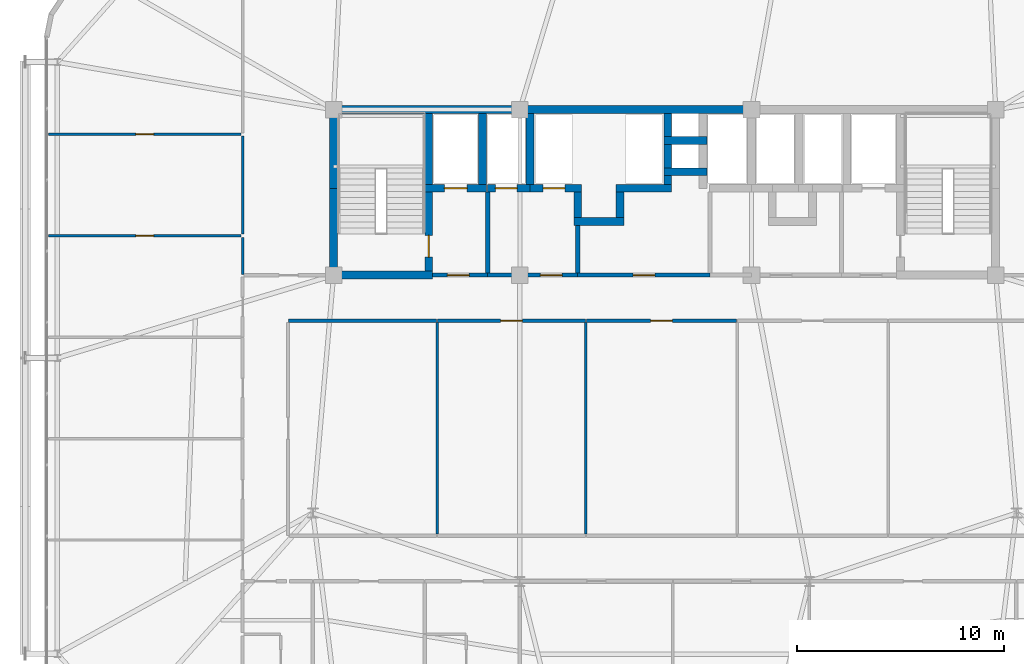
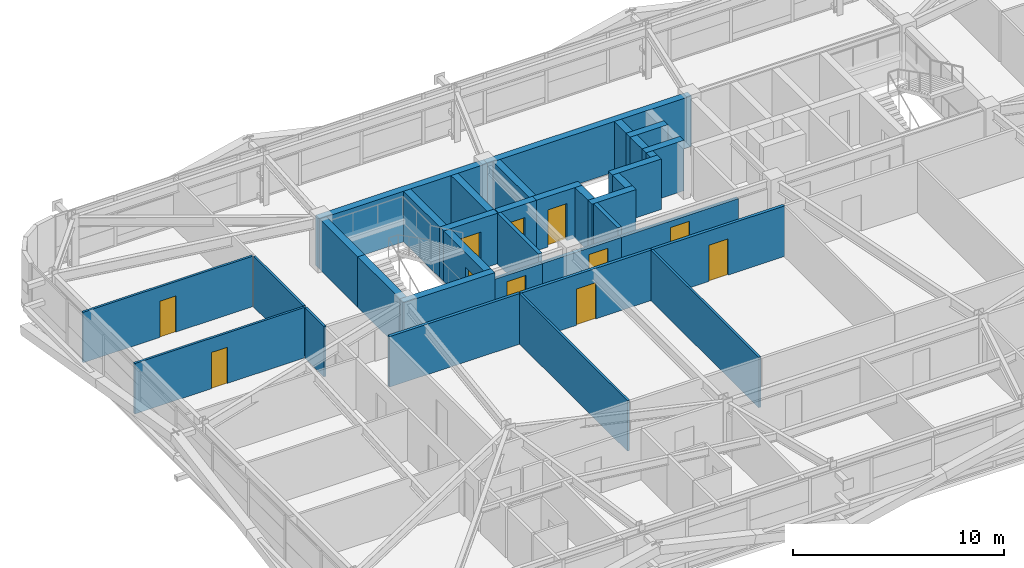
# One storey, part 53 of 58: 35 walls, 11 doors, 11 openings.
"""IFC4 building model written with IfcOpenShell, lengths in metres."""

from ifc_helpers import new_model, si_unit, direction, frame, frame_2d, origin, place, context, subcontext, project, spatial, rectangle, extrude, source, transform, mapped, material, layer, layer_set, type_object, element, fill, save


model = new_model("IFC4")

# Units and contexts
model_context = context("Model", 3, precision=1e-05, world=origin(), true_north=direction((0.0, 1.0)))
body_context = subcontext(model_context, "Body", "Model", "MODEL_VIEW")
ifc_project = project(units=[si_unit("LENGTHUNIT", "METRE"), si_unit("AREAUNIT", "SQUARE_METRE"), si_unit("VOLUMEUNIT", "CUBIC_METRE"), si_unit("PLANEANGLEUNIT", "RADIAN"), si_unit("MASSUNIT", "GRAM", prefix="KILO")], contexts=[model_context])

# Site, building, storey
site_placement = place(None, origin())
site = spatial("IfcSite", under=ifc_project, at=site_placement, CompositionType="ELEMENT")
building_placement = place(site_placement, origin())
building = spatial("IfcBuilding", under=site, at=building_placement, Name="Taldren Reach Tower", CompositionType="ELEMENT")
storey_placement = place(building_placement, frame((0.0, 0.0, 35.699951171875)))
storey = spatial("IfcBuildingStorey", under=building, at=storey_placement, Name="L10", CompositionType="ELEMENT", Elevation=35.699951171875)

# Walls
ifc_material_1 = material(Name="Concrete S80 (80 MPa)", Category="concrete")
ifc_layer_1 = layer(ifc_material_1, 0.3798828125)
ifc_layer_set_1 = layer_set([ifc_layer_1], Name="Concrete S80 (80 MPa)")
wall_type_1 = type_object("IfcWallType", Name="IW-CORE-380", PredefinedType="SHEAR", material=ifc_layer_set_1)
shared_shape_1 = source(origin(), body_context, "Body", "SweptSolid", [
    extrude(rectangle(XDim=9.18994140625, YDim=0.3798828125, at=frame_2d((4.594970703125, 0.0))), origin(), (0.0, 0.0, 1.0), 2.929931640625),
])
wall_1_placement = place(storey_placement, frame((18.81005859375, 32.0, 0.0), z_axis=(0.0, 0.0, 1.0), x_axis=(1.0, 0.0, 0.0)))
element("IfcWall", 1, at=wall_1_placement, inside=storey, type_object=wall_type_1, Name="Rear Core Shear Wall W-CORE-L10-NORTH1", PredefinedType="SHEAR", context=body_context, shape_type="MappedRepresentation", body=[
    mapped(shared_shape_1, transform((0.0, 0.0, 0.0), scale=1.0)),
])
shared_shape_2 = source(origin(), body_context, "Body", "SweptSolid", [
    extrude(rectangle(XDim=11.199951171875, YDim=0.3798828125, at=frame_2d((5.60009765625, 0.0))), origin(), (0.0, 0.0, 1.0), 2.929931640625),
])
wall_2_placement = place(storey_placement, frame((28.0, 32.0, 0.0), z_axis=(0.0, 0.0, 1.0), x_axis=(1.0, 0.0, 0.0)))
element("IfcWall", 2, at=wall_2_placement, inside=storey, type_object=wall_type_1, Name="Rear Core Shear Wall W-CORE-L10-NORTH2", PredefinedType="SHEAR", context=body_context, shape_type="MappedRepresentation", body=[
    mapped(shared_shape_2, transform((0.0, 0.0, 0.0), scale=1.0)),
])
shared_shape_3 = source(origin(), body_context, "Body", "SweptSolid", [
    extrude(rectangle(XDim=4.010009765625, YDim=0.3798828125, at=frame_2d((2.0048828125, 0.0))), origin(), (0.0, 0.0, 1.0), 2.929931640625),
])
wall_3_placement = place(storey_placement, frame((19.0, 24.18994140625, 0.0), z_axis=(0.0, 0.0, 1.0), x_axis=(0.0, 1.0, 0.0)))
element("IfcWall", 3, at=wall_3_placement, inside=storey, type_object=wall_type_1, Name="Rear Core Shear Wall W-CORE-L10-WEST1", PredefinedType="SHEAR", context=body_context, shape_type="MappedRepresentation", body=[
    mapped(shared_shape_3, transform((0.0, 0.0, 0.0), scale=1.0)),
])
shared_shape_4 = source(origin(), body_context, "Body", "SweptSolid", [
    extrude(rectangle(XDim=3.610107421875, YDim=0.3798828125, at=frame_2d((1.80517578125, 0.0))), origin(), (0.0, 0.0, 1.0), 2.929931640625),
])
wall_4_placement = place(storey_placement, frame((19.0, 28.199951171875, 0.0), z_axis=(0.0, 0.0, 1.0), x_axis=(0.0, 1.0, 0.0)))
element("IfcWall", 4, at=wall_4_placement, inside=storey, type_object=wall_type_1, Name="Rear Core Shear Wall W-CORE-L10-WEST2", PredefinedType="SHEAR", context=body_context, shape_type="MappedRepresentation", body=[
    mapped(shared_shape_4, transform((0.0, 0.0, 0.0), scale=1.0)),
])
shared_shape_5 = source(origin(), body_context, "Body", "SweptSolid", [
    extrude(rectangle(XDim=3.420166015625, YDim=0.3798828125, at=frame_2d((1.7099609375, 0.0))), origin(), (0.0, 0.0, 1.0), 2.929931640625),
])
for number, where, z_axis, x_axis, name in (
    (5, (23.60009765625, 28.389892578125, 0.0), (0.0, 0.0, 1.0), (0.0, 1.0, 0.0), "Rear Core Shear Wall W-INT-L10-001"),
    (6, (26.199951171875, 28.389892578125, 0.0), (0.0, 0.0, 1.0), (0.0, 1.0, 0.0), "Rear Core Shear Wall W-INT-L10-005"),
    (7, (28.5, 28.389892578125, 0.0), (0.0, 0.0, 1.0), (0.0, 1.0, 0.0), "Rear Core Shear Wall W-INT-L10-029"),
):
    element("IfcWall", number, at=place(storey_placement, frame(where, z_axis=z_axis, x_axis=x_axis)), inside=storey, type_object=wall_type_1, Name=name, PredefinedType="SHEAR", context=body_context, shape_type="MappedRepresentation", body=[
        mapped(shared_shape_5, transform((0.0, 0.0, 0.0), scale=1.0)),
    ])

# Wall, opening, door
shared_shape_6 = source(origin(), body_context, "Body", "SweptSolid", [
    extrude(rectangle(XDim=3.820068359375, YDim=0.3798828125, at=frame_2d((1.91015625, 0.0))), origin(), (0.0, 0.0, 1.0), 2.929931640625),
])
wall_5_placement = place(storey_placement, frame((23.60009765625, 24.18994140625, 0.0), z_axis=(0.0, 0.0, 1.0), x_axis=(0.0, 1.0, 0.0)))
wall_5 = element("IfcWall", 8, at=wall_5_placement, inside=storey, type_object=wall_type_1, Name="Rear Core Shear Wall W-INT-L10-002", PredefinedType="SHEAR", context=body_context, shape_type="MappedRepresentation", body=[
    mapped(shared_shape_6, transform((0.0, 0.0, 0.0), scale=1.0)),
])
shared_shape_7 = source(origin(), body_context, "Body", "SweptSolid", [
    extrude(rectangle(XDim=1.050048828125, YDim=2.10009765625, at=frame_2d((0.52490234375, 1.050048828125))), frame((0.0, 0.199951171875, 0.0), z_axis=(0.0, -1.0, 0.0), x_axis=(1.0, 0.0, 0.0)), (0.0, 0.0, 1.0), 0.39990234375),
])
opening_1_placement = place(wall_5_placement, frame((0.68505859375, 0.0, 0.0)))
opening_1 = element("IfcOpeningElement", 9, at=opening_1_placement, cuts=wall_5, Name="Opening DF-105", PredefinedType="OPENING", context=body_context, shape_type="MappedRepresentation", body=[
    mapped(shared_shape_7, transform((0.0, 0.0, 0.0), scale=1.0)),
])
ifc_material_2 = material(Name="Fire-Rated Care and Stair Exit Door")
door_type_1 = type_object("IfcDoorType", Name="ID-FIRE-105", OperationType="NOTDEFINED", PredefinedType="DOOR", material=ifc_material_2)
shared_shape_8 = source(origin(), body_context, "Body", "SweptSolid", [
    extrude(rectangle(XDim=1.050048828125, YDim=2.10009765625, at=frame_2d((0.52490234375, 1.050048828125))), frame((0.0, 0.02490234375, 0.0), z_axis=(0.0, -1.0, 0.0), x_axis=(1.0, 0.0, 0.0)), (0.0, 0.0, 1.0), 0.050048828125),
])
door_1_placement = place(opening_1_placement, origin())
door_1 = element("IfcDoor", 10, at=door_1_placement, inside=storey, type_object=door_type_1, Name="Fire Exit Stair Door DR-L10-001", OperationType="SINGLE_SWING_LEFT", OverallHeight=2.10009765625, OverallWidth=1.050048828125, PredefinedType="DOOR", context=body_context, shape_type="MappedRepresentation", body=[
    mapped(shared_shape_8, transform((0.0, 0.0, 0.0), scale=1.0)),
])
fill(opening_1, door_1)

# Wall
shared_shape_9 = source(origin(), body_context, "Body", "SweptSolid", [
    extrude(rectangle(XDim=4.97998046875, YDim=0.3798828125, at=frame_2d((2.489990234375, 0.0))), origin(), (0.0, 0.0, 1.0), 2.929931640625),
])
wall_6_placement = place(storey_placement, frame((18.81005859375, 24.0, 0.0), z_axis=(0.0, 0.0, 1.0), x_axis=(1.0, 0.0, 0.0)))
element("IfcWall", 11, at=wall_6_placement, inside=storey, type_object=wall_type_1, Name="Rear Core Shear Wall W-INT-L10-003", PredefinedType="SHEAR", context=body_context, shape_type="MappedRepresentation", body=[
    mapped(shared_shape_9, transform((0.0, 0.0, 0.0), scale=1.0)),
])

# Wall, opening, door
shared_shape_10 = source(origin(), body_context, "Body", "SweptSolid", [
    extrude(rectangle(XDim=2.97998046875, YDim=0.3798828125, at=frame_2d((1.489990234375, 0.0))), origin(), (0.0, 0.0, 1.0), 2.929931640625),
])
wall_7_placement = place(storey_placement, frame((23.409912109375, 28.199951171875, 0.0), z_axis=(0.0, 0.0, 1.0), x_axis=(1.0, 0.0, 0.0)))
wall_7 = element("IfcWall", 12, at=wall_7_placement, inside=storey, type_object=wall_type_1, Name="Rear Core Shear Wall W-INT-L10-004", PredefinedType="SHEAR", context=body_context, shape_type="MappedRepresentation", body=[
    mapped(shared_shape_10, transform((0.0, 0.0, 0.0), scale=1.0)),
])
shared_shape_11 = source(origin(), body_context, "Body", "SweptSolid", [
    extrude(rectangle(XDim=1.10009765625, YDim=2.14990234375, at=frame_2d((0.550048828125, 1.074951171875))), frame((0.0, 0.199951171875, 0.0), z_axis=(0.0, -1.0, 0.0), x_axis=(1.0, 0.0, 0.0)), (0.0, 0.0, 1.0), 0.39990234375),
])
opening_2_placement = place(wall_7_placement, frame((0.93994140625, 0.0, 0.0)))
opening_2 = element("IfcOpeningElement", 13, at=opening_2_placement, cuts=wall_7, Name="Opening LD-FL1", PredefinedType="OPENING", context=body_context, shape_type="MappedRepresentation", body=[
    mapped(shared_shape_11, transform((0.0, 0.0, 0.0), scale=1.0)),
])
ifc_material_3 = material(Name="Stainless Steel Gr 316 Emergency Lift Landing Door", Category="steel")
door_type_2 = type_object("IfcDoorType", Name="LD-EMG-110", OperationType="SLIDING_TO_LEFT", PredefinedType="DOOR", material=ifc_material_3)
shared_shape_12 = source(origin(), body_context, "Body", "SweptSolid", [
    extrude(rectangle(XDim=1.10009765625, YDim=2.14990234375, at=frame_2d((0.550048828125, 1.074951171875))), frame((0.0, 0.02490234375, 0.0), z_axis=(0.0, -1.0, 0.0), x_axis=(1.0, 0.0, 0.0)), (0.0, 0.0, 1.0), 0.050048828125),
])
door_2_placement = place(opening_2_placement, origin())
door_2 = element("IfcDoor", 14, at=door_2_placement, inside=storey, type_object=door_type_2, Name="Lift Landing Door LD-FL1-L10", OperationType="SLIDING_TO_LEFT", OverallHeight=2.14990234375, OverallWidth=1.10009765625, PredefinedType="DOOR", context=body_context, shape_type="MappedRepresentation", body=[
    mapped(shared_shape_12, transform((0.0, 0.0, 0.0), scale=1.0)),
])
fill(opening_2, door_2)

# Wall
ifc_material_4 = material(Name="Concrete S50 (50 MPa)", Category="concrete")
ifc_layer_2 = layer(ifc_material_4, 0.199951171875)
ifc_layer_set_2 = layer_set([ifc_layer_2], Name="Concrete S50 (50 MPa)")
wall_type_2 = type_object("IfcWallType", Name="IW-CORE-200", PredefinedType="SOLIDWALL", material=ifc_layer_set_2)
shared_shape_13 = source(origin(), body_context, "Body", "SweptSolid", [
    extrude(rectangle(XDim=3.909912109375, YDim=0.199951171875, at=frame_2d((1.955078125, 0.0))), origin(), (0.0, 0.0, 1.0), 2.929931640625),
])
wall_8_placement = place(storey_placement, frame((26.449951171875, 24.10009765625, 0.0), z_axis=(0.0, 0.0, 1.0), x_axis=(0.0, 1.0, 0.0)))
element("IfcWall", 15, at=wall_8_placement, inside=storey, type_object=wall_type_2, Name="Rear Core Shear Wall W-INT-L10-006", PredefinedType="SOLIDWALL", context=body_context, shape_type="MappedRepresentation", body=[
    mapped(shared_shape_13, transform((0.0, 0.0, 0.0), scale=1.0)),
])

# Wall, opening, door
shared_shape_14 = source(origin(), body_context, "Body", "SweptSolid", [
    extrude(rectangle(XDim=2.659912109375, YDim=0.199951171875, at=frame_2d((1.330078125, 0.0))), origin(), (0.0, 0.0, 1.0), 2.469970703125),
])
wall_9_placement = place(storey_placement, frame((23.7900390625, 24.0, 0.0), z_axis=(0.0, 0.0, 1.0), x_axis=(1.0, 0.0, 0.0)))
wall_9 = element("IfcWall", 16, at=wall_9_placement, inside=storey, type_object=wall_type_2, Name="Rear Core Shear Wall W-INT-L10-007", PredefinedType="SOLIDWALL", context=body_context, shape_type="MappedRepresentation", body=[
    mapped(shared_shape_14, transform((0.0, 0.0, 0.0), scale=1.0)),
])
shared_shape_15 = source(origin(), body_context, "Body", "SweptSolid", [
    extrude(rectangle(XDim=1.050048828125, YDim=2.10009765625, at=frame_2d((0.52490234375, 1.050048828125))), frame((0.0, 0.10986328125, 0.0), z_axis=(0.0, -1.0, 0.0), x_axis=(1.0, 0.0, 0.0)), (0.0, 0.0, 1.0), 0.219970703125),
])
opening_3_placement = place(wall_9_placement, frame((0.7099609375, 0.0, 0.0)))
opening_3 = element("IfcOpeningElement", 17, at=opening_3_placement, cuts=wall_9, Name="Opening DF-105", PredefinedType="OPENING", context=body_context, shape_type="MappedRepresentation", body=[
    mapped(shared_shape_15, transform((0.0, 0.0, 0.0), scale=1.0)),
])
door_3_placement = place(opening_3_placement, origin())
door_3 = element("IfcDoor", 18, at=door_3_placement, inside=storey, type_object=door_type_1, Name="Interior Door DR-L10-002", OperationType="SINGLE_SWING_LEFT", OverallHeight=2.10009765625, OverallWidth=1.050048828125, PredefinedType="DOOR", context=body_context, shape_type="MappedRepresentation", body=[
    mapped(shared_shape_8, transform((0.0, 0.0, 0.0), scale=1.0)),
])
fill(opening_3, door_3)

# Walls
shared_shape_16 = source(origin(), body_context, "Body", "SweptSolid", [
    extrude(rectangle(XDim=2.080078125, YDim=0.3798828125, at=frame_2d((1.0400390625, 0.0))), origin(), (0.0, 0.0, 1.0), 2.929931640625),
])
for number, where, z_axis, x_axis, name in (
    (19, (34.9599609375, 30.5, 0.0), (0.0, 0.0, 1.0), (1.0, 0.0, 0.0), "Rear Core Shear Wall W-INT-L10-015"),
    (20, (34.9599609375, 29.0, 0.0), (0.0, 0.0, 1.0), (1.0, 0.0, 0.0), "Rear Core Shear Wall W-INT-L10-020"),
):
    element("IfcWall", number, at=place(storey_placement, frame(where, z_axis=z_axis, x_axis=x_axis)), inside=storey, type_object=wall_type_1, Name=name, PredefinedType="SHEAR", context=body_context, shape_type="MappedRepresentation", body=[
        mapped(shared_shape_16, transform((0.0, 0.0, 0.0), scale=1.0)),
    ])
shared_shape_17 = source(origin(), body_context, "Body", "SweptSolid", [
    extrude(rectangle(XDim=1.1201171875, YDim=0.3798828125, at=frame_2d((0.56005859375, 0.0))), origin(), (0.0, 0.0, 1.0), 2.929931640625),
])
for number, where, z_axis, x_axis, name in (
    (21, (35.14990234375, 31.81005859375, 0.0), (0.0, 0.0, 1.0), (0.0, -1.0, 0.0), "Rear Core Shear Wall W-INT-L10-016"),
    (22, (35.14990234375, 30.31005859375, 0.0), (0.0, 0.0, 1.0), (0.0, -1.0, 0.0), "Rear Core Shear Wall W-INT-L10-018"),
):
    element("IfcWall", number, at=place(storey_placement, frame(where, z_axis=z_axis, x_axis=x_axis)), inside=storey, type_object=wall_type_1, Name=name, PredefinedType="SHEAR", context=body_context, shape_type="MappedRepresentation", body=[
        mapped(shared_shape_17, transform((0.0, 0.0, 0.0), scale=1.0)),
    ])
shared_shape_18 = source(origin(), body_context, "Body", "SweptSolid", [
    extrude(rectangle(XDim=1.219970703125, YDim=0.3798828125, at=frame_2d((0.60986328125, 0.0))), origin(), (0.0, 0.0, 1.0), 2.929931640625),
])
for number, where, z_axis, x_axis, name in (
    (23, (30.800048828125, 28.010009765625, 0.0), (0.0, 0.0, 1.0), (0.0, -1.0, 0.0), "Rear Core Shear Wall W-INT-L10-021"),
    (24, (32.85009765625, 26.7900390625, 0.0), (0.0, 0.0, 1.0), (0.0, 1.0, 0.0), "Rear Core Shear Wall W-INT-L10-023"),
):
    element("IfcWall", number, at=place(storey_placement, frame(where, z_axis=z_axis, x_axis=x_axis)), inside=storey, type_object=wall_type_1, Name=name, PredefinedType="SHEAR", context=body_context, shape_type="MappedRepresentation", body=[
        mapped(shared_shape_18, transform((0.0, 0.0, 0.0), scale=1.0)),
    ])
shared_shape_19 = source(origin(), body_context, "Body", "SweptSolid", [
    extrude(rectangle(XDim=2.429931640625, YDim=0.3798828125, at=frame_2d((1.21484375, 0.0))), origin(), (0.0, 0.0, 1.0), 2.929931640625),
])
wall_10_placement = place(storey_placement, frame((30.610107421875, 26.60009765625, 0.0), z_axis=(0.0, 0.0, 1.0), x_axis=(1.0, 0.0, 0.0)))
element("IfcWall", 25, at=wall_10_placement, inside=storey, type_object=wall_type_1, Name="Rear Core Shear Wall W-INT-L10-022", PredefinedType="SHEAR", context=body_context, shape_type="MappedRepresentation", body=[
    mapped(shared_shape_19, transform((0.0, 0.0, 0.0), scale=1.0)),
])

# Wall, opening, door
shared_shape_20 = source(origin(), body_context, "Body", "SweptSolid", [
    extrude(rectangle(XDim=2.070068359375, YDim=0.3798828125, at=frame_2d((1.03515625, 0.0))), origin(), (0.0, 0.0, 1.0), 2.929931640625),
])
wall_11_placement = place(storey_placement, frame((26.429931640625, 28.199951171875, 0.0), z_axis=(0.0, 0.0, 1.0), x_axis=(1.0, 0.0, 0.0)))
wall_11 = element("IfcWall", 26, at=wall_11_placement, inside=storey, type_object=wall_type_1, Name="Rear Core Shear Wall W-INT-L10-030", PredefinedType="SHEAR", context=body_context, shape_type="MappedRepresentation", body=[
    mapped(shared_shape_20, transform((0.0, 0.0, 0.0), scale=1.0)),
])
shared_shape_21 = source(origin(), body_context, "Body", "SweptSolid", [
    extrude(rectangle(XDim=1.050048828125, YDim=2.14990234375, at=frame_2d((0.52490234375, 1.074951171875))), frame((0.0, 0.199951171875, 0.0), z_axis=(0.0, -1.0, 0.0), x_axis=(1.0, 0.0, 0.0)), (0.0, 0.0, 1.0), 0.39990234375),
])
opening_4_placement = place(wall_11_placement, frame((0.39501953125, 0.0, 0.0)))
opening_4 = element("IfcOpeningElement", 27, at=opening_4_placement, cuts=wall_11, Name="Opening LD-PL1", PredefinedType="OPENING", context=body_context, shape_type="MappedRepresentation", body=[
    mapped(shared_shape_21, transform((0.0, 0.0, 0.0), scale=1.0)),
])
ifc_material_5 = material(Name="Stainless Steel Gr 316 Passenger Lift Landing Door", Category="steel")
door_type_3 = type_object("IfcDoorType", Name="LD-PAS-105", OperationType="SLIDING_TO_LEFT", PredefinedType="DOOR", material=ifc_material_5)
shared_shape_22 = source(origin(), body_context, "Body", "SweptSolid", [
    extrude(rectangle(XDim=1.050048828125, YDim=2.14990234375, at=frame_2d((0.52490234375, 1.074951171875))), frame((0.0, 0.02490234375, 0.0), z_axis=(0.0, -1.0, 0.0), x_axis=(1.0, 0.0, 0.0)), (0.0, 0.0, 1.0), 0.050048828125),
])
door_4_placement = place(opening_4_placement, origin())
door_4 = element("IfcDoor", 28, at=door_4_placement, inside=storey, type_object=door_type_3, Name="Lift Landing Door LD-PL1-L10", OperationType="SLIDING_TO_LEFT", OverallHeight=2.14990234375, OverallWidth=1.050048828125, PredefinedType="DOOR", context=body_context, shape_type="MappedRepresentation", body=[
    mapped(shared_shape_22, transform((0.0, 0.0, 0.0), scale=1.0)),
])
fill(opening_4, door_4)

shared_shape_23 = source(origin(), body_context, "Body", "SweptSolid", [
    extrude(rectangle(XDim=2.489990234375, YDim=0.3798828125, at=frame_2d((1.2451171875, 0.0))), origin(), (0.0, 0.0, 1.0), 2.929931640625),
])
wall_12_placement = place(storey_placement, frame((28.5, 28.199951171875, 0.0), z_axis=(0.0, 0.0, 1.0), x_axis=(1.0, 0.0, 0.0)))
wall_12 = element("IfcWall", 29, at=wall_12_placement, inside=storey, type_object=wall_type_1, Name="Rear Core Shear Wall W-INT-L10-031", PredefinedType="SHEAR", context=body_context, shape_type="MappedRepresentation", body=[
    mapped(shared_shape_23, transform((0.0, 0.0, 0.0), scale=1.0)),
])
opening_5_placement = place(wall_12_placement, frame((0.625, 0.0, 0.0)))
opening_5 = element("IfcOpeningElement", 30, at=opening_5_placement, cuts=wall_12, Name="Opening LD-PL2", PredefinedType="OPENING", context=body_context, shape_type="MappedRepresentation", body=[
    mapped(shared_shape_21, transform((0.0, 0.0, 0.0), scale=1.0)),
])
door_5_placement = place(opening_5_placement, origin())
door_5 = element("IfcDoor", 31, at=door_5_placement, inside=storey, type_object=door_type_3, Name="Lift Landing Door LD-PL2-L10", OperationType="SLIDING_TO_LEFT", OverallHeight=2.14990234375, OverallWidth=1.050048828125, PredefinedType="DOOR", context=body_context, shape_type="MappedRepresentation", body=[
    mapped(shared_shape_22, transform((0.0, 0.0, 0.0), scale=1.0)),
])
fill(opening_5, door_5)

# Wall
shared_shape_24 = source(origin(), body_context, "Body", "SweptSolid", [
    extrude(rectangle(XDim=2.309814453125, YDim=0.199951171875, at=frame_2d((1.15478515625, 0.0))), origin(), (0.0, 0.0, 1.0), 2.929931640625),
])
wall_13_placement = place(storey_placement, frame((30.800048828125, 26.409912109375, 0.0), z_axis=(0.0, 0.0, 1.0), x_axis=(0.0, -1.0, 0.0)))
element("IfcWall", 32, at=wall_13_placement, inside=storey, type_object=wall_type_2, Name="Rear Core Shear Wall W-INT-L10-032", PredefinedType="SOLIDWALL", context=body_context, shape_type="MappedRepresentation", body=[
    mapped(shared_shape_24, transform((0.0, 0.0, 0.0), scale=1.0)),
])

# Wall, opening, door
shared_shape_25 = source(origin(), body_context, "Body", "SweptSolid", [
    extrude(rectangle(XDim=4.35009765625, YDim=0.199951171875, at=frame_2d((2.175048828125, 0.0))), origin(), (0.0, 0.0, 1.0), 2.469970703125),
])
wall_14_placement = place(storey_placement, frame((30.800048828125, 24.0, 0.0), z_axis=(0.0, 0.0, 1.0), x_axis=(-1.0, 0.0, 0.0)))
wall_14 = element("IfcWall", 33, at=wall_14_placement, inside=storey, type_object=wall_type_2, Name="Rear Core Shear Wall W-INT-L10-033", PredefinedType="SOLIDWALL", context=body_context, shape_type="MappedRepresentation", body=[
    mapped(shared_shape_25, transform((0.0, 0.0, 0.0), scale=1.0)),
])
opening_6_placement = place(wall_14_placement, frame((0.75, 0.0, 0.0)))
opening_6 = element("IfcOpeningElement", 34, at=opening_6_placement, cuts=wall_14, Name="Opening DF-105", PredefinedType="OPENING", context=body_context, shape_type="MappedRepresentation", body=[
    mapped(shared_shape_15, transform((0.0, 0.0, 0.0), scale=1.0)),
])
door_6_placement = place(opening_6_placement, frame((1.050048828125, 0.0, 0.0), z_axis=(0.0, 0.0, 1.0), x_axis=(-1.0, 0.0, 0.0)))
door_6 = element("IfcDoor", 35, at=door_6_placement, inside=storey, type_object=door_type_1, Name="Interior Door DR-L10-005", OperationType="SINGLE_SWING_RIGHT", OverallHeight=2.10009765625, OverallWidth=1.050048828125, PredefinedType="DOOR", context=body_context, shape_type="MappedRepresentation", body=[
    mapped(shared_shape_8, transform((0.0, 0.0, 0.0), scale=1.0)),
])
fill(opening_6, door_6)

# Walls
shared_shape_26 = source(origin(), body_context, "Body", "SweptSolid", [
    extrude(rectangle(XDim=2.68017578125, YDim=0.3798828125, at=frame_2d((1.340087890625, 0.0))), origin(), (0.0, 0.0, 1.0), 2.929931640625),
])
wall_15_placement = place(storey_placement, frame((32.659912109375, 28.199951171875, 0.0), z_axis=(0.0, 0.0, 1.0), x_axis=(1.0, 0.0, 0.0)))
element("IfcWall", 36, at=wall_15_placement, inside=storey, type_object=wall_type_1, Name="Rear Core Shear Wall W-INT-L10-034", PredefinedType="SHEAR", context=body_context, shape_type="MappedRepresentation", body=[
    mapped(shared_shape_26, transform((0.0, 0.0, 0.0), scale=1.0)),
])
shared_shape_27 = source(origin(), body_context, "Body", "SweptSolid", [
    extrude(rectangle(XDim=0.420166015625, YDim=0.3798828125, at=frame_2d((0.2099609375, 0.0))), origin(), (0.0, 0.0, 1.0), 2.929931640625),
])
wall_16_placement = place(storey_placement, frame((35.14990234375, 28.389892578125, 0.0), z_axis=(0.0, 0.0, 1.0), x_axis=(0.0, 1.0, 0.0)))
element("IfcWall", 37, at=wall_16_placement, inside=storey, type_object=wall_type_1, Name="Rear Core Shear Wall W-INT-L10-035", PredefinedType="SHEAR", context=body_context, shape_type="MappedRepresentation", body=[
    mapped(shared_shape_27, transform((0.0, 0.0, 0.0), scale=1.0)),
])

# Wall, opening, door
shared_shape_28 = source(origin(), body_context, "Body", "SweptSolid", [
    extrude(rectangle(XDim=6.39990234375, YDim=0.199951171875, at=frame_2d((3.199951171875, 0.0))), origin(), (0.0, 0.0, 1.0), 2.469970703125),
])
wall_17_placement = place(storey_placement, frame((37.199951171875, 24.0, 0.0), z_axis=(0.0, 0.0, 1.0), x_axis=(-1.0, 0.0, 0.0)))
wall_17 = element("IfcWall", 38, at=wall_17_placement, inside=storey, type_object=wall_type_2, Name="Rear Core Shear Wall W-INT-L10-043", PredefinedType="SOLIDWALL", context=body_context, shape_type="MappedRepresentation", body=[
    mapped(shared_shape_28, transform((0.0, 0.0, 0.0), scale=1.0)),
])
opening_7_placement = place(wall_17_placement, frame((2.675048828125, 0.0, 0.0)))
opening_7 = element("IfcOpeningElement", 39, at=opening_7_placement, cuts=wall_17, Name="Opening DF-105", PredefinedType="OPENING", context=body_context, shape_type="MappedRepresentation", body=[
    mapped(shared_shape_15, transform((0.0, 0.0, 0.0), scale=1.0)),
])
door_7_placement = place(opening_7_placement, frame((1.050048828125, 0.0, 0.0), z_axis=(0.0, 0.0, 1.0), x_axis=(-1.0, 0.0, 0.0)))
door_7 = element("IfcDoor", 40, at=door_7_placement, inside=storey, type_object=door_type_1, Name="Interior Door DR-L10-006", OperationType="SINGLE_SWING_RIGHT", OverallHeight=2.10009765625, OverallWidth=1.050048828125, PredefinedType="DOOR", context=body_context, shape_type="MappedRepresentation", body=[
    mapped(shared_shape_8, transform((0.0, 0.0, 0.0), scale=1.0)),
])
fill(opening_7, door_7)

ifc_material_6 = material(Name="Insulated Residential Stud Partition", Category="gypsum")
ifc_layer_3 = layer(ifc_material_6, 0.1201171875)
ifc_layer_set_3 = layer_set([ifc_layer_3], Name="Insulated Residential Stud Partition")
wall_type_3 = type_object("IfcWallType", Name="IW-PART-120", PredefinedType="PARTITIONING", material=ifc_layer_set_3)
shared_shape_29 = source(origin(), body_context, "Body", "SweptSolid", [
    extrude(rectangle(XDim=9.2900390625, YDim=0.1201171875, at=frame_2d((4.64501953125, 0.0))), origin(), (0.0, 0.0, 1.0), 2.929931640625),
])
wall_18_placement = place(storey_placement, frame((5.22998046875, 25.89990234375, 0.0), z_axis=(0.0, 0.0, 1.0), x_axis=(1.0, 0.0, 0.0)))
wall_18 = element("IfcWall", 41, at=wall_18_placement, inside=storey, type_object=wall_type_3, Name="Interior Partition Wall W-INT-L10-104", PredefinedType="PARTITIONING", context=body_context, shape_type="MappedRepresentation", body=[
    mapped(shared_shape_29, transform((0.0, 0.0, 0.0), scale=1.0)),
])
shared_shape_30 = source(origin(), body_context, "Body", "SweptSolid", [
    extrude(rectangle(XDim=0.860107421875, YDim=2.10009765625, at=frame_2d((0.43017578125, 1.050048828125))), frame((0.0, 0.070068359375, 0.0), z_axis=(0.0, -1.0, 0.0), x_axis=(1.0, 0.0, 0.0)), (0.0, 0.0, 1.0), 0.14013671875),
])
opening_8_placement = place(wall_18_placement, frame((4.215087890625, 0.0, 0.0)))
opening_8 = element("IfcOpeningElement", 42, at=opening_8_placement, cuts=wall_18, Name="Opening DI-086", PredefinedType="OPENING", context=body_context, shape_type="MappedRepresentation", body=[
    mapped(shared_shape_30, transform((0.0, 0.0, 0.0), scale=1.0)),
])
ifc_material_7 = material(Name="Timber Bathroom Door", Category="wood")
door_type_4 = type_object("IfcDoorType", Name="ID-INT-086", OperationType="NOTDEFINED", PredefinedType="DOOR", material=ifc_material_7)
shared_shape_31 = source(origin(), body_context, "Body", "SweptSolid", [
    extrude(rectangle(XDim=0.860107421875, YDim=2.10009765625, at=frame_2d((0.43017578125, 1.050048828125))), frame((0.0, 0.02490234375, 0.0), z_axis=(0.0, -1.0, 0.0), x_axis=(1.0, 0.0, 0.0)), (0.0, 0.0, 1.0), 0.050048828125),
])
door_8_placement = place(opening_8_placement, frame((0.860107421875, 0.0, 0.0), z_axis=(0.0, 0.0, 1.0), x_axis=(-1.0, 0.0, 0.0)))
door_8 = element("IfcDoor", 43, at=door_8_placement, inside=storey, type_object=door_type_4, Name="Interior Door DR-L10-030", OperationType="SINGLE_SWING_RIGHT", OverallHeight=2.10009765625, OverallWidth=0.860107421875, PredefinedType="DOOR", context=body_context, shape_type="MappedRepresentation", body=[
    mapped(shared_shape_31, transform((0.0, 0.0, 0.0), scale=1.0)),
])
fill(opening_8, door_8)

wall_19_placement = place(storey_placement, frame((5.22998046875, 30.800048828125, 0.0), z_axis=(0.0, 0.0, 1.0), x_axis=(1.0, 0.0, 0.0)))
wall_19 = element("IfcWall", 44, at=wall_19_placement, inside=storey, type_object=wall_type_3, Name="Interior Partition Wall W-INT-L10-106", PredefinedType="PARTITIONING", context=body_context, shape_type="MappedRepresentation", body=[
    mapped(shared_shape_29, transform((0.0, 0.0, 0.0), scale=1.0)),
])
opening_9_placement = place(wall_19_placement, frame((4.215087890625, 0.0, 0.0)))
opening_9 = element("IfcOpeningElement", 45, at=opening_9_placement, cuts=wall_19, Name="Opening DI-086", PredefinedType="OPENING", context=body_context, shape_type="MappedRepresentation", body=[
    mapped(shared_shape_30, transform((0.0, 0.0, 0.0), scale=1.0)),
])
door_9_placement = place(opening_9_placement, frame((0.860107421875, 0.0, 0.0), z_axis=(0.0, 0.0, 1.0), x_axis=(-1.0, 0.0, 0.0)))
door_9 = element("IfcDoor", 46, at=door_9_placement, inside=storey, type_object=door_type_4, Name="Interior Door DR-L10-031", OperationType="SINGLE_SWING_LEFT", OverallHeight=2.10009765625, OverallWidth=0.860107421875, PredefinedType="DOOR", context=body_context, shape_type="MappedRepresentation", body=[
    mapped(shared_shape_31, transform((0.0, 0.0, 0.0), scale=1.0)),
])
fill(opening_9, door_9)

# Wall
ifc_material_8 = material(Name="Fire-Rated Acoustic Plasterboard Stud Wall", Category="gypsum")
ifc_layer_4 = layer(ifc_material_8, 0.159912109375)
ifc_layer_set_4 = layer_set([ifc_layer_4], Name="Fire-Rated Acoustic Plasterboard Stud Wall")
wall_type_4 = type_object("IfcWallType", Name="IW-FIRE-160", PredefinedType="PARTITIONING", material=ifc_layer_set_4)
shared_shape_32 = source(origin(), body_context, "Body", "SweptSolid", [
    extrude(rectangle(XDim=7.159423828125, YDim=0.159912109375, at=frame_2d((3.57958984375, 0.0))), origin(), (0.0, 0.0, 1.0), 2.929931640625),
])
wall_20_placement = place(storey_placement, frame((23.979736328125, 21.800048828125, 0.0), z_axis=(0.0, 0.0, 1.0), x_axis=(-1.0, 0.0, 0.0)))
element("IfcWall", 47, at=wall_20_placement, inside=storey, type_object=wall_type_4, Name="Interior Partition Wall W-INT-L10-046", PredefinedType="PARTITIONING", context=body_context, shape_type="MappedRepresentation", body=[
    mapped(shared_shape_32, transform((0.0, 0.0, 0.0), scale=1.0)),
])

# Wall, opening, door
wall_21_placement = place(storey_placement, frame((31.1796875, 21.800048828125, 0.0), z_axis=(0.0, 0.0, 1.0), x_axis=(-1.0, 0.0, 0.0)))
wall_21 = element("IfcWall", 48, at=wall_21_placement, inside=storey, type_object=wall_type_4, Name="Interior Partition Wall W-INT-L10-047", PredefinedType="PARTITIONING", context=body_context, shape_type="MappedRepresentation", body=[
    mapped(shared_shape_32, transform((0.0, 0.0, 0.0), scale=1.0)),
])
shared_shape_33 = source(origin(), body_context, "Body", "SweptSolid", [
    extrude(rectangle(XDim=1.050048828125, YDim=2.10009765625, at=frame_2d((0.52490234375, 1.050048828125))), frame((0.0, 0.08984375, 0.0), z_axis=(0.0, -1.0, 0.0), x_axis=(1.0, 0.0, 0.0)), (0.0, 0.0, 1.0), 0.179931640625),
])
opening_10_placement = place(wall_21_placement, frame((3.0546875, 0.0, 0.0)))
opening_10 = element("IfcOpeningElement", 49, at=opening_10_placement, cuts=wall_21, Name="Opening DF-105", PredefinedType="OPENING", context=body_context, shape_type="MappedRepresentation", body=[
    mapped(shared_shape_33, transform((0.0, 0.0, 0.0), scale=1.0)),
])
door_10_placement = place(opening_10_placement, origin())
door_10 = element("IfcDoor", 50, at=door_10_placement, inside=storey, type_object=door_type_1, Name="Interior Door DR-L10-009", OperationType="SINGLE_SWING_RIGHT", OverallHeight=2.10009765625, OverallWidth=1.050048828125, PredefinedType="DOOR", context=body_context, shape_type="MappedRepresentation", body=[
    mapped(shared_shape_8, transform((0.0, 0.0, 0.0), scale=1.0)),
])
fill(opening_10, door_10)

shared_shape_34 = source(origin(), body_context, "Body", "SweptSolid", [
    extrude(rectangle(XDim=7.259521484375, YDim=0.159912109375, at=frame_2d((3.6298828125, 0.0))), origin(), (0.0, 0.0, 1.0), 2.929931640625),
])
wall_22_placement = place(storey_placement, frame((38.479736328125, 21.800048828125, 0.0), z_axis=(0.0, 0.0, 1.0), x_axis=(-1.0, 0.0, 0.0)))
wall_22 = element("IfcWall", 51, at=wall_22_placement, inside=storey, type_object=wall_type_4, Name="Interior Partition Wall W-INT-L10-048", PredefinedType="PARTITIONING", context=body_context, shape_type="MappedRepresentation", body=[
    mapped(shared_shape_34, transform((0.0, 0.0, 0.0), scale=1.0)),
])
opening_11_placement = place(wall_22_placement, frame((3.104736328125, 0.0, 0.0)))
opening_11 = element("IfcOpeningElement", 52, at=opening_11_placement, cuts=wall_22, Name="Opening DF-105", PredefinedType="OPENING", context=body_context, shape_type="MappedRepresentation", body=[
    mapped(shared_shape_33, transform((0.0, 0.0, 0.0), scale=1.0)),
])
door_11_placement = place(opening_11_placement, origin())
door_11 = element("IfcDoor", 53, at=door_11_placement, inside=storey, type_object=door_type_1, Name="Interior Door DR-L10-010", OperationType="SINGLE_SWING_LEFT", OverallHeight=2.10009765625, OverallWidth=1.050048828125, PredefinedType="DOOR", context=body_context, shape_type="MappedRepresentation", body=[
    mapped(shared_shape_8, transform((0.0, 0.0, 0.0), scale=1.0)),
])
fill(opening_11, door_11)

# Walls
shared_shape_35 = source(origin(), body_context, "Body", "SweptSolid", [
    extrude(rectangle(XDim=10.239990234375, YDim=0.1201171875, at=frame_2d((5.1201171875, 0.0))), origin(), (0.0, 0.0, 1.0), 2.929931640625),
])
for number, where, z_axis, x_axis, name in (
    (54, (24.0, 21.719970703125, 0.0), (0.0, 0.0, 1.0), (0.0, -1.0, 0.0), "Interior Partition Wall W-INT-L10-074"),
    (55, (31.199951171875, 21.719970703125, 0.0), (0.0, 0.0, 1.0), (0.0, -1.0, 0.0), "Interior Partition Wall W-INT-L10-075"),
):
    element("IfcWall", number, at=place(storey_placement, frame(where, z_axis=z_axis, x_axis=x_axis)), inside=storey, type_object=wall_type_3, Name=name, PredefinedType="PARTITIONING", context=body_context, shape_type="MappedRepresentation", body=[
        mapped(shared_shape_35, transform((0.0, 0.0, 0.0), scale=1.0)),
    ])
shared_shape_36 = source(origin(), body_context, "Body", "SweptSolid", [
    extrude(rectangle(XDim=1.7998046875, YDim=0.1201171875, at=frame_2d((0.89990234375, 0.0))), origin(), (0.0, 0.0, 1.0), 2.929931640625),
])
wall_23_placement = place(storey_placement, frame((14.60009765625, 25.820068359375, 0.0), z_axis=(0.0, 0.0, 1.0), x_axis=(0.0, -1.0, 0.0)))
element("IfcWall", 56, at=wall_23_placement, inside=storey, type_object=wall_type_3, Name="Interior Partition Wall W-INT-L10-105", PredefinedType="PARTITIONING", context=body_context, shape_type="MappedRepresentation", body=[
    mapped(shared_shape_36, transform((0.0, 0.0, 0.0), scale=1.0)),
])
shared_shape_37 = source(origin(), body_context, "Body", "SweptSolid", [
    extrude(rectangle(XDim=4.739990234375, YDim=0.1201171875, at=frame_2d((2.3701171875, 0.0))), origin(), (0.0, 0.0, 1.0), 2.929931640625),
])
wall_24_placement = place(storey_placement, frame((14.60009765625, 30.719970703125, 0.0), z_axis=(0.0, 0.0, 1.0), x_axis=(0.0, -1.0, 0.0)))
element("IfcWall", 57, at=wall_24_placement, inside=storey, type_object=wall_type_3, Name="Interior Partition Wall W-INT-L10-107", PredefinedType="PARTITIONING", context=body_context, shape_type="MappedRepresentation", body=[
    mapped(shared_shape_37, transform((0.0, 0.0, 0.0), scale=1.0)),
])

save(model, "model.ifc")
